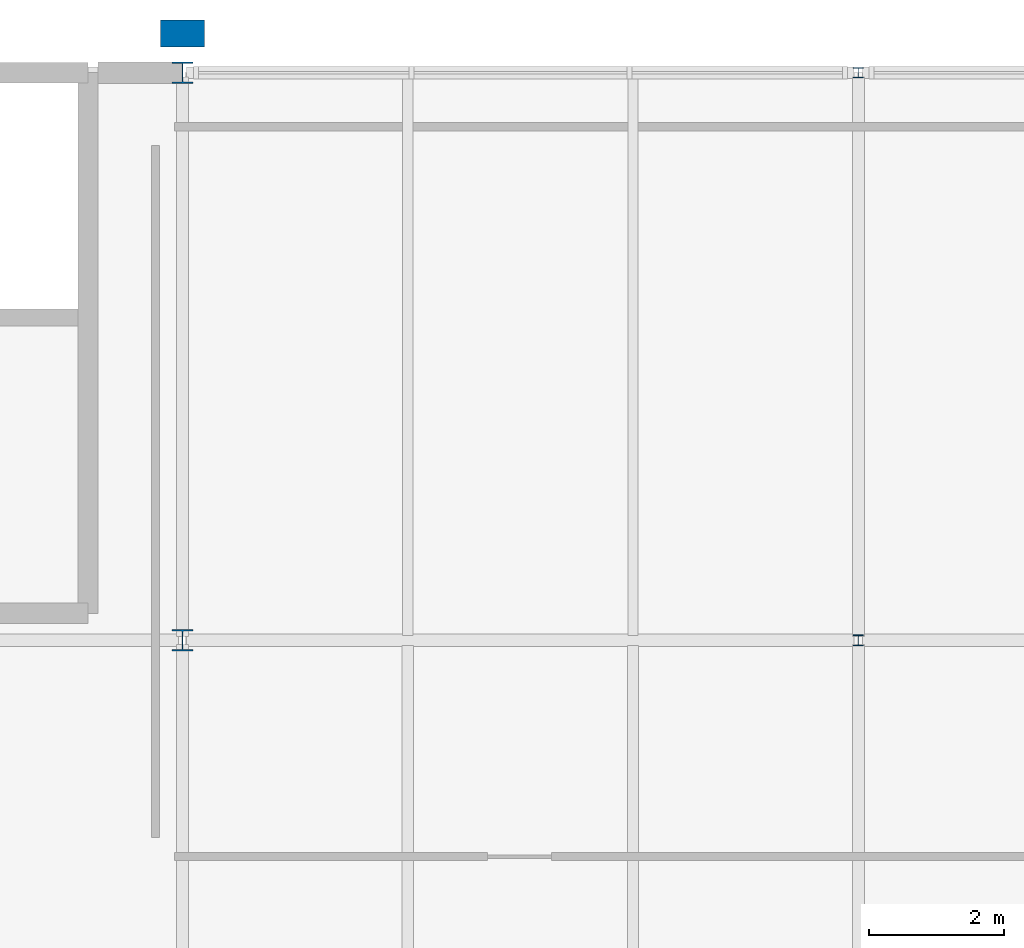
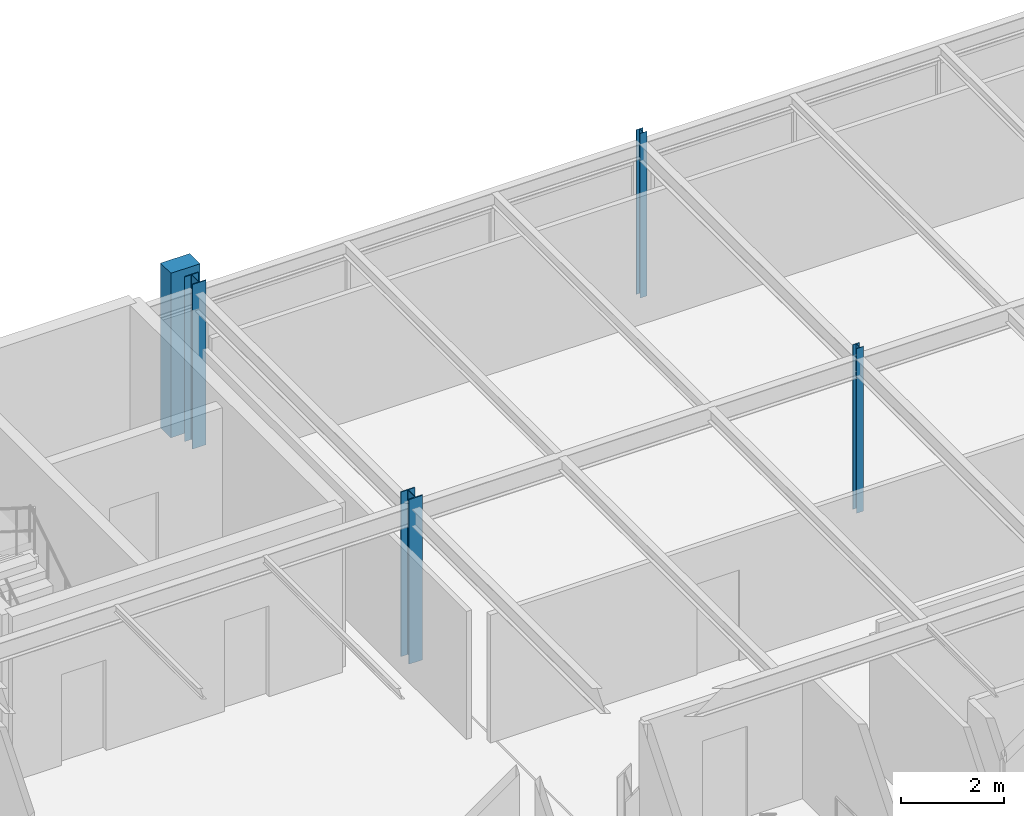
# One storey, part 25 of 98: 5 columns.
"""IFC4 building model written with IfcOpenShell, lengths in metres."""

from ifc_helpers import new_model, si_unit, derived_unit, direction, frame, origin, origin_2d_with_axis, place, context, subcontext, project, spatial, rectangle, i_section, extrude, material, material_profile, profile_set, type_object, element, save


model = new_model("IFC4")

# Units and contexts
model_context = context("Model", 3, precision=1e-05, world=origin(), true_north=direction((0.0, 1.0)))
body_context = subcontext(model_context, "Body", "Model", "MODEL_VIEW")
ifc_project = project(units=[si_unit("LENGTHUNIT", "METRE"), si_unit("AREAUNIT", "SQUARE_METRE"), si_unit("VOLUMEUNIT", "CUBIC_METRE"), si_unit("PLANEANGLEUNIT", "RADIAN"), si_unit("MASSUNIT", "GRAM", prefix="KILO"), derived_unit("THERMALTRANSMITTANCEUNIT", [(si_unit("POWERUNIT", "WATT"), 1), (si_unit("LENGTHUNIT", "METRE"), -2), (si_unit("THERMODYNAMICTEMPERATUREUNIT", "KELVIN"), -1)])], contexts=[model_context])

# Site, building, storey
site_placement = place(None, origin())
site = spatial("IfcSite", under=ifc_project, at=site_placement, CompositionType="ELEMENT")
building_placement = place(site_placement, origin())
building = spatial("IfcBuilding", under=site, at=building_placement, Name="Cinnabar Yard Market Hall", CompositionType="ELEMENT")
storey_placement = place(building_placement, frame((0.0, 0.0, 4.5)))
storey = spatial("IfcBuildingStorey", under=building, at=storey_placement, Name="L01", CompositionType="ELEMENT", Elevation=4.5)

# Columns
ifc_material_1 = material(Name="Steel Grade 350 (350 MPa)", Category="steel")
ifc_material_profile_1 = material_profile(ifc_material_1, i_section(OverallWidth=0.30908203125, OverallDepth=0.320556640625, WebThickness=0.013916015625, FlangeThickness=0.021728515625, FilletRadius=0.0166015625, at=origin_2d_with_axis()), Name="310UC137")
ifc_profile_set_1 = profile_set([ifc_material_profile_1], Name="Steel Grade 350 (350 MPa)")
column_type_1 = type_object("IfcColumnType", Name="COL-C07", PredefinedType="COLUMN", material=ifc_profile_set_1)
column_1_placement = place(storey_placement, frame((106.0, 129.60009765625, 0.0), z_axis=(0.0, 0.0, 1.0), x_axis=(1.0, 0.0, 0.0)))
element("IfcColumn", 1, at=column_1_placement, inside=storey, type_object=column_type_1, Name="Wing Column V3-05-04 L01", PredefinedType="COLUMN", context=body_context, shape_type="SweptSolid", body=[
    extrude(i_section(OverallWidth=0.30908203125, OverallDepth=0.320556640625, WebThickness=0.013916015625, FlangeThickness=0.021728515625, FilletRadius=0.0166015625, at=origin_2d_with_axis()), origin(), (0.0, 0.0, 1.0), 3.89990234375),
])
ifc_material_2 = material(Name="Steel Grade 300 (300 MPa)", Category="steel")
ifc_material_profile_2 = material_profile(ifc_material_2, i_section(OverallWidth=0.307373046875, OverallDepth=0.314697265625, WebThickness=0.011962890625, FlangeThickness=0.018798828125, FilletRadius=0.0166015625, at=origin_2d_with_axis()), Name="310UC118")
ifc_profile_set_2 = profile_set([ifc_material_profile_2], Name="Steel Grade 300 (300 MPa)")
column_type_2 = type_object("IfcColumnType", Name="COL-C08E", PredefinedType="COLUMN", material=ifc_profile_set_2)
column_2_placement = place(storey_placement, frame((106.0, 138.0, 0.0), z_axis=(0.0, 0.0, 1.0), x_axis=(1.0, 0.0, 0.0)))
element("IfcColumn", 2, at=column_2_placement, inside=storey, type_object=column_type_2, Name="Wing Column V3-05-05 L01", PredefinedType="COLUMN", context=body_context, shape_type="SweptSolid", body=[
    extrude(i_section(OverallWidth=0.307373046875, OverallDepth=0.314697265625, WebThickness=0.011962890625, FlangeThickness=0.018798828125, FilletRadius=0.0166015625, at=origin_2d_with_axis()), origin(), (0.0, 0.0, 1.0), 3.89990234375),
])
ifc_material_profile_3 = material_profile(ifc_material_2, i_section(OverallWidth=0.15283203125, OverallDepth=0.15771484375, WebThickness=0.006591796875, FlangeThickness=0.009521484375, FilletRadius=0.0087890625, at=origin_2d_with_axis()), Name="150UC30.0")
ifc_profile_set_3 = profile_set([ifc_material_profile_3], Name="Steel Grade 300 (300 MPa)")
column_type_3 = type_object("IfcColumnType", Name="COL-C18", PredefinedType="COLUMN", material=ifc_profile_set_3)
column_3_placement = place(storey_placement, frame((116.0, 129.60009765625, 0.0), z_axis=(0.0, 0.0, 1.0), x_axis=(1.0, 0.0, 0.0)))
element("IfcColumn", 3, at=column_3_placement, inside=storey, type_object=column_type_3, Name="Wing Column V3-06-04 L01", PredefinedType="COLUMN", context=body_context, shape_type="SweptSolid", body=[
    extrude(i_section(OverallWidth=0.15283203125, OverallDepth=0.15771484375, WebThickness=0.006591796875, FlangeThickness=0.009521484375, FilletRadius=0.0087890625, at=origin_2d_with_axis()), origin(), (0.0, 0.0, 1.0), 3.89990234375),
])
ifc_material_profile_4 = material_profile(ifc_material_2, i_section(OverallWidth=0.152099609375, OverallDepth=0.15234375, WebThickness=0.005859375, FlangeThickness=0.0068359375, FilletRadius=0.0087890625, at=origin_2d_with_axis()), Name="150UC23.4")
ifc_profile_set_4 = profile_set([ifc_material_profile_4], Name="Steel Grade 300 (300 MPa)")
column_type_4 = type_object("IfcColumnType", Name="COL-C19E", PredefinedType="COLUMN", material=ifc_profile_set_4)
column_4_placement = place(storey_placement, frame((116.0, 138.0, 0.0), z_axis=(0.0, 0.0, 1.0), x_axis=(1.0, 0.0, 0.0)))
element("IfcColumn", 4, at=column_4_placement, inside=storey, type_object=column_type_4, Name="Wing Column V3-06-05 L01", PredefinedType="COLUMN", context=body_context, shape_type="SweptSolid", body=[
    extrude(i_section(OverallWidth=0.152099609375, OverallDepth=0.15234375, WebThickness=0.005859375, FlangeThickness=0.0068359375, FilletRadius=0.0087890625, at=origin_2d_with_axis()), origin(), (0.0, 0.0, 1.0), 3.89990234375),
])
ifc_material_3 = material(Name="Concrete 40 MPa", Category="concrete")
ifc_material_profile_5 = material_profile(ifc_material_3, rectangle(XDim=0.64990234375, YDim=0.39990234375, at=origin_2d_with_axis()), Name="RC-650x400")
ifc_profile_set_5 = profile_set([ifc_material_profile_5], Name="Concrete 40 MPa")
column_type_5 = type_object("IfcColumnType", Name="COL-PIL2E", PredefinedType="PILASTER", material=ifc_profile_set_5)
column_5_placement = place(storey_placement, frame((106.0, 138.580078125, 0.0), z_axis=(0.0, 0.0, 1.0), x_axis=(1.0, 0.0, 0.0)))
element("IfcColumn", 5, at=column_5_placement, inside=storey, type_object=column_type_5, Name="Engaged Pilaster 09 L01", PredefinedType="PILASTER", context=body_context, shape_type="SweptSolid", body=[
    extrude(rectangle(XDim=0.64990234375, YDim=0.39990234375, at=origin_2d_with_axis()), origin(), (0.0, 0.0, 1.0), 3.89990234375),
])

save(model, "model.ifc")
